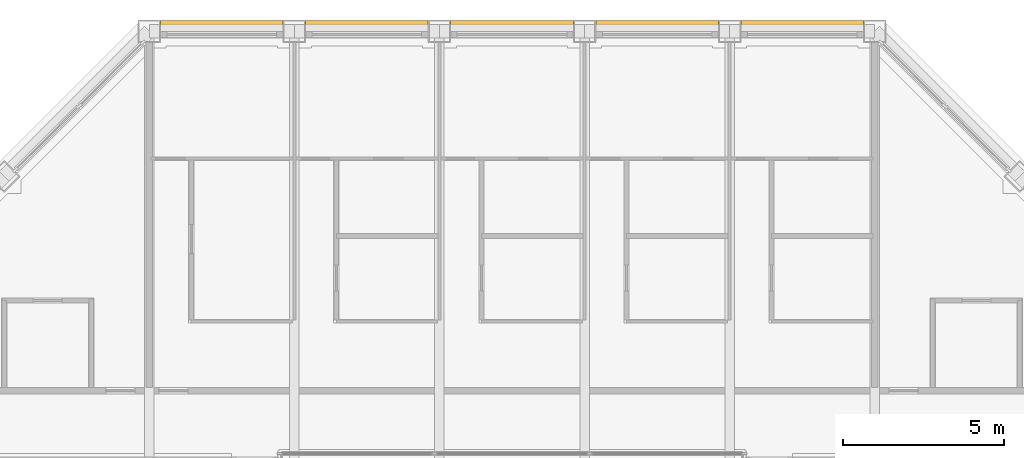
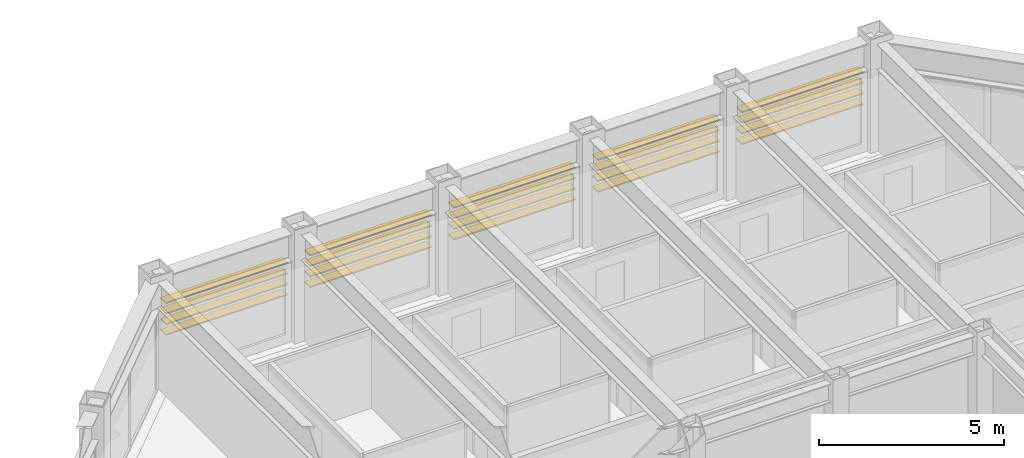
# One storey, part 18 of 18: 1 shading device.
"""IFC4 building model written with IfcOpenShell, lengths in metres."""

from ifc_helpers import new_model, si_unit, direction, frame, origin, origin_2d, place, context, subcontext, project, spatial, rectangle, extrude, material, type_object, element, save


model = new_model("IFC4")

# Units and contexts
model_context = context("Model", 3, precision=1e-05, world=origin(), true_north=direction((0.0, 1.0)))
body_context = subcontext(model_context, "Body", "Model", "MODEL_VIEW")
ifc_project = project(units=[si_unit("LENGTHUNIT", "METRE"), si_unit("AREAUNIT", "SQUARE_METRE"), si_unit("VOLUMEUNIT", "CUBIC_METRE"), si_unit("PLANEANGLEUNIT", "RADIAN"), si_unit("MASSUNIT", "GRAM", prefix="KILO")], contexts=[model_context])

# Site, building, storey
site_placement = place(None, origin())
site = spatial("IfcSite", under=ifc_project, at=site_placement, CompositionType="ELEMENT")
building_placement = place(site_placement, origin())
building = spatial("IfcBuilding", under=site, at=building_placement, Name="Msasa Ring Tower", CompositionType="ELEMENT")
storey_placement = place(building_placement, frame((0.0, 0.0, 249.550048828125)))
storey = spatial("IfcBuildingStorey", under=building, at=storey_placement, Name="L65", CompositionType="ELEMENT", Elevation=249.550048828125)

# Shading device
ifc_material = material(Name="Extruded terracotta blades", Category="masonry")
shading_device_type = type_object("IfcShadingDeviceType", Name="SS1 TERRACOTTA SUNSHADE 4 BLADES 300x40 AT 350", PredefinedType="USERDEFINED", material=ifc_material)
shading_device_placement = place(storey_placement, origin())
element("IfcShadingDevice", 1, at=shading_device_placement, inside=storey, type_object=shading_device_type, Name="Terracotta sunshade N L65", ObjectType="SUNSHADE", PredefinedType="USERDEFINED", context=body_context, shape_type="SweptSolid", body=[
    extrude(rectangle(XDim=0.0400390625, YDim=0.300048828125, at=origin_2d()), frame((-10.89990234375, 20.429931640625, 2.458984375), z_axis=(1.0, 0.0, 0.0), x_axis=(0.0, 0.0, 1.0)), (0.0, 0.0, 1.0), 3.800048828125),
    extrude(rectangle(XDim=0.0400390625, YDim=0.300048828125, at=origin_2d()), frame((-10.89990234375, 20.429931640625, 2.10888671875), z_axis=(1.0, 0.0, 0.0), x_axis=(0.0, 0.0, 1.0)), (0.0, 0.0, 1.0), 3.800048828125),
    extrude(rectangle(XDim=0.0400390625, YDim=0.300048828125, at=origin_2d()), frame((-10.89990234375, 20.429931640625, 1.759033203125), z_axis=(1.0, 0.0, 0.0), x_axis=(0.0, 0.0, 1.0)), (0.0, 0.0, 1.0), 3.800048828125),
    extrude(rectangle(XDim=0.0400390625, YDim=0.300048828125, at=origin_2d()), frame((-10.89990234375, 20.429931640625, 1.408935546875), z_axis=(1.0, 0.0, 0.0), x_axis=(0.0, 0.0, 1.0)), (0.0, 0.0, 1.0), 3.800048828125),
    extrude(rectangle(XDim=0.0400390625, YDim=0.300048828125, at=origin_2d()), frame((-6.39990234375, 20.429931640625, 2.458984375), z_axis=(1.0, 0.0, 0.0), x_axis=(0.0, 0.0, 1.0)), (0.0, 0.0, 1.0), 3.800048828125),
    extrude(rectangle(XDim=0.0400390625, YDim=0.300048828125, at=origin_2d()), frame((-6.39990234375, 20.429931640625, 2.10888671875), z_axis=(1.0, 0.0, 0.0), x_axis=(0.0, 0.0, 1.0)), (0.0, 0.0, 1.0), 3.800048828125),
    extrude(rectangle(XDim=0.0400390625, YDim=0.300048828125, at=origin_2d()), frame((-6.39990234375, 20.429931640625, 1.759033203125), z_axis=(1.0, 0.0, 0.0), x_axis=(0.0, 0.0, 1.0)), (0.0, 0.0, 1.0), 3.800048828125),
    extrude(rectangle(XDim=0.0400390625, YDim=0.300048828125, at=origin_2d()), frame((-6.39990234375, 20.429931640625, 1.408935546875), z_axis=(1.0, 0.0, 0.0), x_axis=(0.0, 0.0, 1.0)), (0.0, 0.0, 1.0), 3.800048828125),
    extrude(rectangle(XDim=0.0400390625, YDim=0.300048828125, at=origin_2d()), frame((-1.89990234375, 20.429931640625, 2.458984375), z_axis=(1.0, 0.0, 0.0), x_axis=(0.0, 0.0, 1.0)), (0.0, 0.0, 1.0), 3.800048828125),
    extrude(rectangle(XDim=0.0400390625, YDim=0.300048828125, at=origin_2d()), frame((-1.89990234375, 20.429931640625, 2.10888671875), z_axis=(1.0, 0.0, 0.0), x_axis=(0.0, 0.0, 1.0)), (0.0, 0.0, 1.0), 3.800048828125),
    extrude(rectangle(XDim=0.0400390625, YDim=0.300048828125, at=origin_2d()), frame((-1.89990234375, 20.429931640625, 1.759033203125), z_axis=(1.0, 0.0, 0.0), x_axis=(0.0, 0.0, 1.0)), (0.0, 0.0, 1.0), 3.800048828125),
    extrude(rectangle(XDim=0.0400390625, YDim=0.300048828125, at=origin_2d()), frame((-1.89990234375, 20.429931640625, 1.408935546875), z_axis=(1.0, 0.0, 0.0), x_axis=(0.0, 0.0, 1.0)), (0.0, 0.0, 1.0), 3.800048828125),
    extrude(rectangle(XDim=0.0400390625, YDim=0.300048828125, at=origin_2d()), frame((2.60009765625, 20.429931640625, 2.458984375), z_axis=(1.0, 0.0, 0.0), x_axis=(0.0, 0.0, 1.0)), (0.0, 0.0, 1.0), 3.800048828125),
    extrude(rectangle(XDim=0.0400390625, YDim=0.300048828125, at=origin_2d()), frame((2.60009765625, 20.429931640625, 2.10888671875), z_axis=(1.0, 0.0, 0.0), x_axis=(0.0, 0.0, 1.0)), (0.0, 0.0, 1.0), 3.800048828125),
    extrude(rectangle(XDim=0.0400390625, YDim=0.300048828125, at=origin_2d()), frame((2.60009765625, 20.429931640625, 1.759033203125), z_axis=(1.0, 0.0, 0.0), x_axis=(0.0, 0.0, 1.0)), (0.0, 0.0, 1.0), 3.800048828125),
    extrude(rectangle(XDim=0.0400390625, YDim=0.300048828125, at=origin_2d()), frame((2.60009765625, 20.429931640625, 1.408935546875), z_axis=(1.0, 0.0, 0.0), x_axis=(0.0, 0.0, 1.0)), (0.0, 0.0, 1.0), 3.800048828125),
    extrude(rectangle(XDim=0.0400390625, YDim=0.300048828125, at=origin_2d()), frame((7.10009765625, 20.429931640625, 2.458984375), z_axis=(1.0, 0.0, 0.0), x_axis=(0.0, 0.0, 1.0)), (0.0, 0.0, 1.0), 3.800048828125),
    extrude(rectangle(XDim=0.0400390625, YDim=0.300048828125, at=origin_2d()), frame((7.10009765625, 20.429931640625, 2.10888671875), z_axis=(1.0, 0.0, 0.0), x_axis=(0.0, 0.0, 1.0)), (0.0, 0.0, 1.0), 3.800048828125),
    extrude(rectangle(XDim=0.0400390625, YDim=0.300048828125, at=origin_2d()), frame((7.10009765625, 20.429931640625, 1.759033203125), z_axis=(1.0, 0.0, 0.0), x_axis=(0.0, 0.0, 1.0)), (0.0, 0.0, 1.0), 3.800048828125),
    extrude(rectangle(XDim=0.0400390625, YDim=0.300048828125, at=origin_2d()), frame((7.10009765625, 20.429931640625, 1.408935546875), z_axis=(1.0, 0.0, 0.0), x_axis=(0.0, 0.0, 1.0)), (0.0, 0.0, 1.0), 3.800048828125),
])

save(model, "model.ifc")
